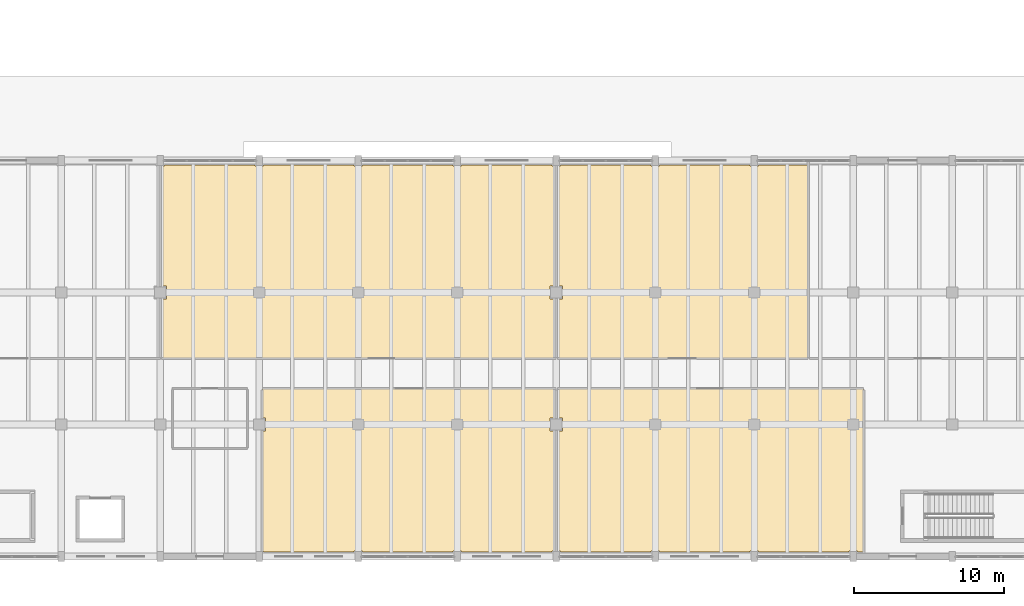
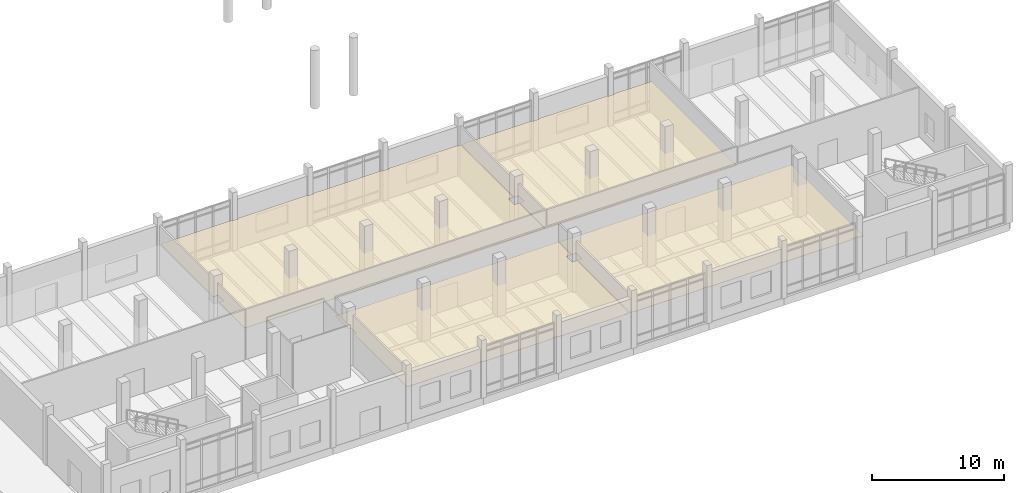
# One storey, part 68 of 72: 4 coverings.
"""IFC4 building model written with IfcOpenShell, lengths in metres."""

from ifc_helpers import new_model, si_unit, direction, frame, origin, place, context, subcontext, project, spatial, polyline, outline, extrude, material, layer, layer_set, type_object, element, save


model = new_model("IFC4")

# Units and contexts
model_context = context("Model", 3, precision=1e-05, world=origin(), true_north=direction((0.0, 1.0)))
body_context = subcontext(model_context, "Body", "Model", "MODEL_VIEW")
ifc_project = project(units=[si_unit("LENGTHUNIT", "METRE"), si_unit("AREAUNIT", "SQUARE_METRE"), si_unit("VOLUMEUNIT", "CUBIC_METRE"), si_unit("PLANEANGLEUNIT", "RADIAN"), si_unit("MASSUNIT", "GRAM", prefix="KILO")], contexts=[model_context])

# Site, building, storey
site_placement = place(None, origin())
site = spatial("IfcSite", under=ifc_project, at=site_placement, CompositionType="ELEMENT")
building_placement = place(site_placement, origin())
building = spatial("IfcBuilding", under=site, at=building_placement, Name="Dornvale Research Institute", CompositionType="ELEMENT")
storey_placement = place(building_placement, origin())
storey = spatial("IfcBuildingStorey", under=building, at=storey_placement, Name="L00", CompositionType="ELEMENT", Elevation=0.0)

# Coverings
ifc_material = material(Name="Flush Cleanroom Aluminum Walk-On HEPA Ceiling Grid", Category="aluminium")
ifc_layer = layer(ifc_material, 0.0400390625)
ifc_layer_set = layer_set([ifc_layer], Name="Flush Cleanroom Aluminum Walk-On HEPA Ceiling Grid")
covering_type = type_object("IfcCoveringType", Name="Covering_Cleanroom_HEPA_Ceiling", PredefinedType="CEILING", material=ifc_layer_set)
covering_1_placement = place(storey_placement, frame((0.0, 0.0, 2.85009765625)))
element("IfcCovering", 1, at=covering_1_placement, inside=storey, type_object=covering_type, Name="L00 ISO Class 5 Photolithography Cleanroom Bay suspended ceiling", PredefinedType="CEILING", context=body_context, shape_type="SweptSolid", body=[
    extrude(outline(polyline([(144.925048828125, 26.10009765625), (144.925048828125, 26.02490234375), (145.179931640625, 26.02490234375), (145.179931640625, 18.02490234375), (144.77490234375, 18.02490234375), (144.77490234375, 17.175048828125), (145.179931640625, 17.175048828125), (145.179931640625, 13.219970703125), (118.820068359375, 13.219970703125), (118.820068359375, 17.175048828125), (119.22509765625, 17.175048828125), (119.22509765625, 18.02490234375), (118.820068359375, 18.02490234375), (118.820068359375, 26.02490234375), (119.074951171875, 26.02490234375), (119.074951171875, 26.10009765625), (125.125, 26.10009765625), (125.125, 26.02490234375), (125.675048828125, 26.02490234375), (125.675048828125, 26.10009765625), (131.72509765625, 26.10009765625), (131.72509765625, 26.02490234375), (132.27490234375, 26.02490234375), (132.27490234375, 26.10009765625), (138.324951171875, 26.10009765625), (138.324951171875, 26.02490234375), (138.875, 26.02490234375), (138.875, 26.10009765625), (144.925048828125, 26.10009765625)])), origin(), (0.0, 0.0, 1.0), 0.039794921875),
])
covering_2_placement = place(storey_placement, frame((0.0, 0.0, 2.85009765625)))
element("IfcCovering", 2, at=covering_2_placement, inside=storey, type_object=covering_type, Name="L00 Electron-Beam Nanofabrication Cleanroom suspended ceiling", PredefinedType="CEILING", context=body_context, shape_type="SweptSolid", body=[
    extrude(outline(polyline([(151.52490234375, 26.10009765625), (151.52490234375, 26.02490234375), (152.074951171875, 26.02490234375), (152.074951171875, 26.10009765625), (158.125, 26.10009765625), (158.125, 26.02490234375), (158.675048828125, 26.02490234375), (158.675048828125, 26.10009765625), (161.97998046875, 26.10009765625), (161.97998046875, 13.219970703125), (145.219970703125, 13.219970703125), (145.219970703125, 17.175048828125), (145.625, 17.175048828125), (145.625, 18.02490234375), (145.219970703125, 18.02490234375), (145.219970703125, 26.02490234375), (145.47509765625, 26.02490234375), (145.47509765625, 26.10009765625), (151.52490234375, 26.10009765625)])), origin(), (0.0, 0.0, 1.0), 0.039794921875),
])
covering_3_placement = place(storey_placement, frame((0.0, 0.0, 2.85009765625)))
element("IfcCovering", 3, at=covering_3_placement, inside=storey, type_object=covering_type, Name="L00 Cleanroom Return-Air Service Chase L00 suspended ceiling", PredefinedType="CEILING", context=body_context, shape_type="SweptSolid", body=[
    extrude(outline(polyline([(144.925048828125, 0.375), (144.925048828125, 0.300048828125), (138.875, 0.300048828125), (138.875, 0.375), (138.324951171875, 0.375), (138.324951171875, 0.300048828125), (132.27490234375, 0.300048828125), (132.27490234375, 0.375), (131.72509765625, 0.375), (131.72509765625, 0.300048828125), (125.675048828125, 0.300048828125), (125.675048828125, 0.375), (125.6201171875, 0.375), (125.6201171875, 8.375), (125.824951171875, 8.375), (125.824951171875, 9.22509765625), (125.6201171875, 9.22509765625), (125.6201171875, 11.179931640625), (145.179931640625, 11.179931640625), (145.179931640625, 9.22509765625), (144.77490234375, 9.22509765625), (144.77490234375, 8.375), (145.179931640625, 8.375), (145.179931640625, 0.375), (144.925048828125, 0.375)])), origin(), (0.0, 0.0, 1.0), 0.039794921875),
])
covering_4_placement = place(storey_placement, frame((0.0, 0.0, 2.85009765625)))
element("IfcCovering", 4, at=covering_4_placement, inside=storey, type_object=covering_type, Name="L00 Nanometrology Calibration Suite L00 suspended ceiling", PredefinedType="CEILING", context=body_context, shape_type="SweptSolid", body=[
    extrude(outline(polyline([(165.27490234375, 0.300048828125), (165.27490234375, 0.375), (164.72509765625, 0.375), (164.72509765625, 0.300048828125), (158.675048828125, 0.300048828125), (158.675048828125, 0.375), (158.125, 0.375), (158.125, 0.300048828125), (152.074951171875, 0.300048828125), (152.074951171875, 0.375), (151.52490234375, 0.375), (151.52490234375, 0.300048828125), (145.47509765625, 0.300048828125), (145.47509765625, 0.375), (145.219970703125, 0.375), (145.219970703125, 8.375), (145.625, 8.375), (145.625, 9.22509765625), (145.219970703125, 9.22509765625), (145.219970703125, 11.179931640625), (165.679931640625, 11.179931640625), (165.679931640625, 0.300048828125), (165.27490234375, 0.300048828125)])), origin(), (0.0, 0.0, 1.0), 0.039794921875),
])

save(model, "model.ifc")
